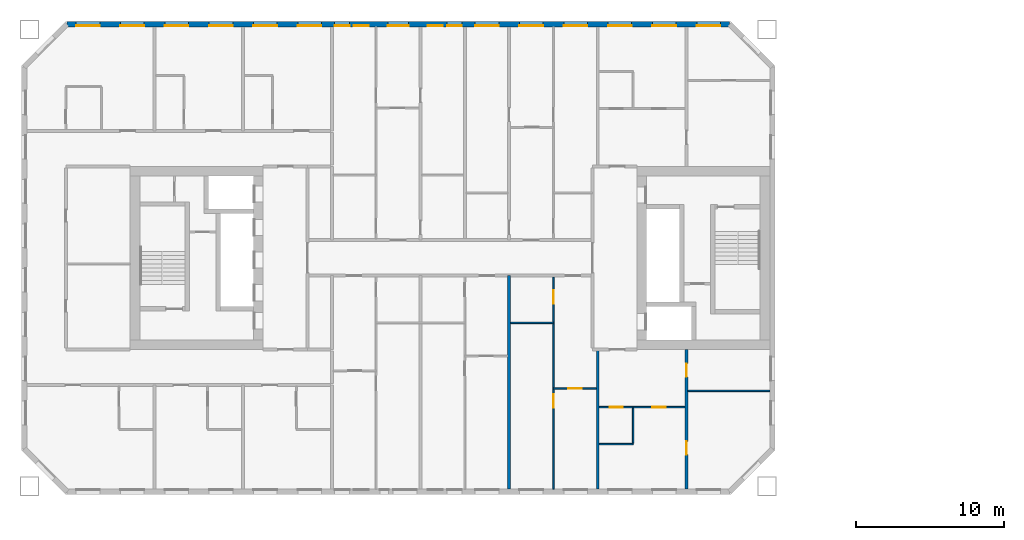
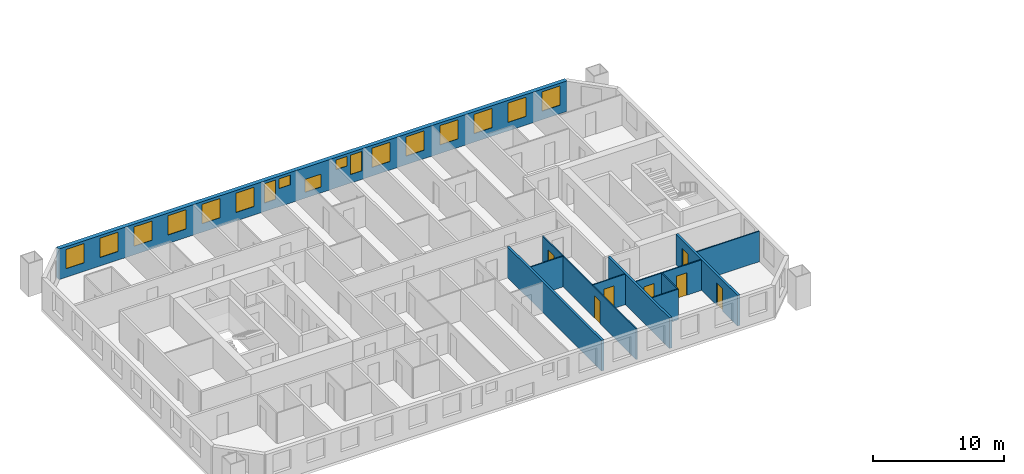
# One storey, part 6 of 16: 17 windows, 11 walls, 7 doors, 24 openings.
"""IFC4 building model written with IfcOpenShell, lengths in metres."""

import ifcopenshell
import ifcopenshell.guid

model = None  # the IFC model being written
_history = None  # IfcOwnerHistory: only IFC2X3 demands one
_inside = {}  # id of a spatial element -> (the spatial element, [elements in it])
_under = {}  # id of a project, library or spatial element -> (it, [spatial elements below it])
_declared = {}  # id of a project -> (the project, [libraries it declares])
_typed = {}  # id of a type object -> (the type object, [elements of that type])
_made_of = {}  # id of a material, layer set ... -> (it, [elements and type objects made of it])


def new_model(schema):
    """Start an empty IFC model of exactly this schema.

    Asked for "IFC4X3", IfcOpenShell would pick the latest addendum, in which some entities
    have other attributes; the version numbers below select the first issue.
    IFC2X3 requires an IfcOwnerHistory on every rooted entity: one is made here for all.
    """
    global model, _history
    if schema == "IFC4X3":
        model = ifcopenshell.file(schema_version=(4, 3, 0, 0))
    else:
        model = ifcopenshell.file(schema=schema)
    _inside.clear()
    _under.clear()
    _declared.clear()
    _typed.clear()
    _made_of.clear()
    _history = None
    if model.schema == "IFC2X3":
        org = make("IfcOrganization", Name="unknown")
        user = make(
            "IfcPersonAndOrganization",
            ThePerson=make("IfcPerson", FamilyName="unknown"),
            TheOrganization=org,
        )
        app = make(
            "IfcApplication",
            ApplicationDeveloper=org,
            Version="unknown",
            ApplicationFullName="unknown",
            ApplicationIdentifier="unknown",
        )
        _history = make(
            "IfcOwnerHistory",
            OwningUser=user,
            OwningApplication=app,
            ChangeAction="ADDED",
            CreationDate=0,
        )
    return model


def make(cls, **values):
    """One entity of the class cls with the attributes given. An attribute that is None is left unset."""
    return model.create_entity(
        cls, **{name: value for name, value in values.items() if value is not None}
    )


def rooted(cls, **values):
    """An entity with a GlobalId (a new one), such as an element, a storey or a relation."""
    return make(cls, GlobalId=ifcopenshell.guid.new(), OwnerHistory=_history, **values)


def si_unit(unit_type, name, prefix=None):
    """IfcSIUnit, for example si_unit("LENGTHUNIT", "METRE", prefix="MILLI")."""
    return make("IfcSIUnit", UnitType=unit_type, Prefix=prefix, Name=name)


def assignment(units):
    """IfcUnitAssignment: the units of a project."""
    return None if units is None else make("IfcUnitAssignment", Units=units)


def point(xyz):
    """IfcCartesianPoint."""
    return None if xyz is None else make("IfcCartesianPoint", Coordinates=xyz)


def direction(xyz):
    """IfcDirection."""
    return None if xyz is None else make("IfcDirection", DirectionRatios=xyz)


def frame(location, z_axis=None, x_axis=None):
    """IfcAxis2Placement3D, a coordinate frame: its origin and axes. An axis left out is left unset."""
    return make(
        "IfcAxis2Placement3D",
        Location=point(location),
        Axis=direction(z_axis),
        RefDirection=direction(x_axis),
    )


def frame_2d(location, x_axis=None):
    """IfcAxis2Placement2D, a coordinate frame in the plane: its origin and x axis."""
    return make(
        "IfcAxis2Placement2D", Location=point(location), RefDirection=direction(x_axis)
    )


def origin():
    """The frame at (0, 0, 0) with its axes left unset."""
    return frame((0.0, 0.0, 0.0))


def place(relative_to, where):
    """IfcLocalPlacement: puts the frame where relative to a parent placement (None: the world)."""
    return make(
        "IfcLocalPlacement", PlacementRelTo=relative_to, RelativePlacement=where
    )


def context(
    kind, dimensions, precision=None, world=None, true_north=None, identifier=None
):
    """IfcGeometricRepresentationContext, for example the 3D "Model" context."""
    return make(
        "IfcGeometricRepresentationContext",
        ContextIdentifier=identifier,
        ContextType=kind,
        CoordinateSpaceDimension=dimensions,
        Precision=precision,
        WorldCoordinateSystem=world,
        TrueNorth=true_north,
    )


def subcontext(parent, identifier, kind, view, scale=None):
    """IfcGeometricRepresentationSubContext, for example "Body" below "Model"."""
    return make(
        "IfcGeometricRepresentationSubContext",
        ContextIdentifier=identifier,
        ContextType=kind,
        ParentContext=parent,
        TargetScale=scale,
        TargetView=view,
    )


def project(units=None, contexts=None):
    """IfcProject with its units and contexts."""
    return rooted(
        "IfcProject",
        Name="project",
        RepresentationContexts=contexts,
        UnitsInContext=assignment(units),
    )


def spatial(cls, under=None, at=None, **own):
    """A site, building, storey or space (cls), placed at a placement, below another one or the project."""
    s = rooted(cls, ObjectPlacement=at, **own)
    if under is not None:
        _under.setdefault(under.id(), (under, []))[1].append(s)
    return s


def profile(cls, at=None, kind="AREA", **sizes):
    """A parametric profile (cls). Its sizes go by their IFC names, for example OverallWidth=200.0."""
    return make(cls, ProfileType=kind, Position=at, **sizes)


def rectangle(**sizes):
    """IfcRectangleProfileDef."""
    return profile("IfcRectangleProfileDef", **sizes)


def extrude(swept, where, along, depth):
    """IfcExtrudedAreaSolid: the profile swept, set in the frame where, extruded along a direction by depth."""
    return make(
        "IfcExtrudedAreaSolid",
        SweptArea=swept,
        Position=where,
        ExtrudedDirection=direction(along),
        Depth=depth,
    )


def shape(context_of_items, identifier, shape_type, items):
    """IfcShapeRepresentation: the items that make up one representation, for example the "Body"."""
    return make(
        "IfcShapeRepresentation",
        ContextOfItems=context_of_items,
        RepresentationIdentifier=identifier,
        RepresentationType=shape_type,
        Items=items,
    )


def material(Name=None, Category=None):
    """IfcMaterial."""
    return make("IfcMaterial", Name=Name, Category=Category)


def layer(
    of_material, thickness, ventilated=None, Name=None, Category=None, Priority=None
):
    """IfcMaterialLayer: one layer of a wall or slab, of a material (None: an air gap)."""
    return make(
        "IfcMaterialLayer",
        Material=of_material,
        LayerThickness=thickness,
        IsVentilated=ventilated,
        Name=Name,
        Category=Category,
        Priority=Priority,
    )


def layer_set(layers, Name=None):
    """IfcMaterialLayerSet."""
    return make("IfcMaterialLayerSet", MaterialLayers=layers, LayerSetName=Name)


def made_of(thing, what):
    """Note that an element or type object is made of a material, layer set ...; save() writes the relation."""
    if what is not None:
        _made_of.setdefault(what.id(), (what, []))[1].append(thing)
    return thing


def type_object(cls, material=None, **own):
    """A type object (cls), such as IfcWallType, which elements share."""
    return made_of(rooted(cls, **own), material)


def element(
    cls,
    number,
    at=None,
    inside=None,
    cuts=None,
    type_object=None,
    material=None,
    context=None,
    identifier="Body",
    shape_type=None,
    held_by="IfcProductDefinitionShape",
    body=None,
    shapes=None,
    **own,
):
    """One element of the class cls, such as IfcWall. Its Tag is "e" and its number.

    at: its placement. inside: the storey or other place that contains it. cuts: it is an
    opening in that element (IfcRelVoidsElement). A single representation is given by context,
    identifier, shape_type and body (its items); several are given by shapes. held_by: the class
    of the entity that holds the representations. save() writes the other relations.
    """
    e = rooted(cls, Tag="e%d" % number, ObjectPlacement=at, **own)
    if body is not None:
        shapes = [shape(context, identifier, shape_type, body)]
    if shapes is not None:
        e.Representation = make(held_by, Representations=shapes)
    if inside is not None:
        _inside.setdefault(inside.id(), (inside, []))[1].append(e)
    if cuts is not None:
        rooted(
            "IfcRelVoidsElement", RelatingBuildingElement=cuts, RelatedOpeningElement=e
        )
    if type_object is not None:
        _typed.setdefault(type_object.id(), (type_object, []))[1].append(e)
    return made_of(e, material)


def fill(opening, filler):
    """IfcRelFillsElement: the door or window that sits in an opening."""
    return rooted(
        "IfcRelFillsElement",
        RelatingOpeningElement=opening,
        RelatedBuildingElement=filler,
    )


def aggregate(whole, parts):
    """IfcRelAggregates: a whole, such as a stair, and the parts it consists of."""
    return rooted("IfcRelAggregates", RelatingObject=whole, RelatedObjects=parts)


def save(model, path):
    """Write the relations noted so far, then the file.

    IfcRelAggregates (storeys below a building ...), IfcRelContainedInSpatialStructure (elements
    in a storey), IfcRelDefinesByType, IfcRelAssociatesMaterial and IfcRelDeclares: one each for
    every whole, place, type object, material and project.
    """
    for whole, parts in _under.values():
        aggregate(whole, parts)
    for where, things in _inside.values():
        rooted(
            "IfcRelContainedInSpatialStructure",
            RelatedElements=things,
            RelatingStructure=where,
        )
    for kind, things in _typed.values():
        rooted("IfcRelDefinesByType", RelatedObjects=things, RelatingType=kind)
    for what, things in _made_of.values():
        rooted("IfcRelAssociatesMaterial", RelatedObjects=things, RelatingMaterial=what)
    for by, libraries in _declared.values():
        rooted("IfcRelDeclares", RelatingContext=by, RelatedDefinitions=libraries)
    model.write(path)


model = new_model("IFC4")

# Units and contexts
model_context = context("Model", 3, precision=1e-05, world=origin(), true_north=direction((0.0, 1.0)))
body_context = subcontext(model_context, "Body", "Model", "MODEL_VIEW")
ifc_project = project(units=[si_unit("LENGTHUNIT", "METRE"), si_unit("AREAUNIT", "SQUARE_METRE"), si_unit("VOLUMEUNIT", "CUBIC_METRE"), si_unit("PLANEANGLEUNIT", "RADIAN"), si_unit("MASSUNIT", "GRAM", prefix="KILO")], contexts=[model_context])

# Site, building, storey
site_placement = place(None, origin())
site = spatial("IfcSite", under=ifc_project, at=site_placement, CompositionType="ELEMENT")
building_placement = place(site_placement, origin())
building = spatial("IfcBuilding", under=site, at=building_placement, Name="Tuart Gate Housing", CompositionType="ELEMENT")
storey_placement = place(building_placement, frame((0.0, 0.0, 111.89990234375)))
storey = spatial("IfcBuildingStorey", under=building, at=storey_placement, Name="L31", CompositionType="ELEMENT", Elevation=111.89990234375)

# Wall, openings, windows
ifc_material_1 = material(Name="Brick", Category="masonry")
ifc_layer_1 = layer(ifc_material_1, 0.360107421875)
ifc_layer_set_1 = layer_set([ifc_layer_1], Name="Brick pier and spandrel wall 360")
wall_type_1 = type_object("IfcWallType", Name="Brick pier and spandrel wall 360", PredefinedType="STANDARD", material=ifc_layer_set_1)
wall_1_placement = place(storey_placement, frame((72.92529296875, 85.820068359375, 0.0), z_axis=(0.0, 0.0, 1.0), x_axis=(-1.0, 0.0, 0.0)))
wall_1 = element("IfcWall", 1, at=wall_1_placement, inside=storey, type_object=wall_type_1, Name="External wall A-N L31", PredefinedType="STANDARD", context=body_context, shape_type="SweptSolid", body=[
    extrude(rectangle(XDim=44.850830078125, YDim=0.360107421875, at=frame_2d((22.42529296875, 0.0))), origin(), (0.0, 0.0, 1.0), 2.85009765625),
])
opening_1_placement = place(wall_1_placement, frame((0.62548828125, 0.0, 0.800048828125)))
opening_1 = element("IfcOpeningElement", 2, at=opening_1_placement, cuts=wall_1, Name="Opening W1", PredefinedType="OPENING", context=body_context, shape_type="SweptSolid", body=[
    extrude(rectangle(XDim=1.60009765625, YDim=1.800048828125, at=frame_2d((0.800048828125, 0.89990234375))), frame((0.0, 0.18994140625, 0.0), z_axis=(0.0, -1.0, 0.0), x_axis=(1.0, 0.0, 0.0)), (0.0, 0.0, 1.0), 0.380126953125),
])
opening_2_placement = place(wall_1_placement, frame((3.62548828125, 0.0, 0.800048828125)))
opening_2 = element("IfcOpeningElement", 3, at=opening_2_placement, cuts=wall_1, Name="Opening W1", PredefinedType="OPENING", context=body_context, shape_type="SweptSolid", body=[
    extrude(rectangle(XDim=1.60009765625, YDim=1.800048828125, at=frame_2d((0.800048828125, 0.89990234375))), frame((0.0, 0.18994140625, 0.0), z_axis=(0.0, -1.0, 0.0), x_axis=(1.0, 0.0, 0.0)), (0.0, 0.0, 1.0), 0.380126953125),
])
opening_3_placement = place(wall_1_placement, frame((6.62548828125, 0.0, 0.800048828125)))
opening_3 = element("IfcOpeningElement", 4, at=opening_3_placement, cuts=wall_1, Name="Opening W1", PredefinedType="OPENING", context=body_context, shape_type="SweptSolid", body=[
    extrude(rectangle(XDim=1.60009765625, YDim=1.800048828125, at=frame_2d((0.800048828125, 0.89990234375))), frame((0.0, 0.18994140625, 0.0), z_axis=(0.0, -1.0, 0.0), x_axis=(1.0, 0.0, 0.0)), (0.0, 0.0, 1.0), 0.380126953125),
])
opening_4_placement = place(wall_1_placement, frame((9.62548828125, 0.0, 0.800048828125)))
opening_4 = element("IfcOpeningElement", 5, at=opening_4_placement, cuts=wall_1, Name="Opening W1", PredefinedType="OPENING", context=body_context, shape_type="SweptSolid", body=[
    extrude(rectangle(XDim=1.60009765625, YDim=1.800048828125, at=frame_2d((0.800048828125, 0.89990234375))), frame((0.0, 0.18994140625, 0.0), z_axis=(0.0, -1.0, 0.0), x_axis=(1.0, 0.0, 0.0)), (0.0, 0.0, 1.0), 0.380126953125),
])
opening_5_placement = place(wall_1_placement, frame((12.62548828125, 0.0, 0.800048828125)))
opening_5 = element("IfcOpeningElement", 6, at=opening_5_placement, cuts=wall_1, Name="Opening W1", PredefinedType="OPENING", context=body_context, shape_type="SweptSolid", body=[
    extrude(rectangle(XDim=1.60009765625, YDim=1.800048828125, at=frame_2d((0.800048828125, 0.89990234375))), frame((0.0, 0.18994140625, 0.0), z_axis=(0.0, -1.0, 0.0), x_axis=(1.0, 0.0, 0.0)), (0.0, 0.0, 1.0), 0.380126953125),
])
opening_6_placement = place(wall_1_placement, frame((15.62548828125, 0.0, 0.800048828125)))
opening_6 = element("IfcOpeningElement", 7, at=opening_6_placement, cuts=wall_1, Name="Opening W1", PredefinedType="OPENING", context=body_context, shape_type="SweptSolid", body=[
    extrude(rectangle(XDim=1.60009765625, YDim=1.800048828125, at=frame_2d((0.800048828125, 0.89990234375))), frame((0.0, 0.18994140625, 0.0), z_axis=(0.0, -1.0, 0.0), x_axis=(1.0, 0.0, 0.0)), (0.0, 0.0, 1.0), 0.380126953125),
])
opening_7_placement = place(wall_1_placement, frame((18.12548828125, 0.0, 0.800048828125)))
opening_7 = element("IfcOpeningElement", 8, at=opening_7_placement, cuts=wall_1, Name="Opening W1C", PredefinedType="OPENING", context=body_context, shape_type="SweptSolid", body=[
    extrude(rectangle(XDim=1.0, YDim=1.800048828125, at=frame_2d((0.5, 0.89990234375))), frame((0.0, 0.18994140625, 0.0), z_axis=(0.0, -1.0, 0.0), x_axis=(1.0, 0.0, 0.0)), (0.0, 0.0, 1.0), 0.380126953125),
])
opening_8_placement = place(wall_1_placement, frame((21.725341796875, 0.0, 0.550048828125)))
opening_8 = element("IfcOpeningElement", 9, at=opening_8_placement, cuts=wall_1, Name="Opening W1M", PredefinedType="OPENING", context=body_context, shape_type="SweptSolid", body=[
    extrude(rectangle(XDim=1.39990234375, YDim=1.199951171875, at=frame_2d((0.699951171875, 0.60009765625))), frame((0.0, 0.18994140625, 0.0), z_axis=(0.0, -1.0, 0.0), x_axis=(1.0, 0.0, 0.0)), (0.0, 0.0, 1.0), 0.380126953125),
])
opening_9_placement = place(wall_1_placement, frame((24.42529296875, 0.0, 1.699951171875)))
opening_9 = element("IfcOpeningElement", 10, at=opening_9_placement, cuts=wall_1, Name="Opening W1U", PredefinedType="OPENING", context=body_context, shape_type="SweptSolid", body=[
    extrude(rectangle(XDim=1.0, YDim=0.89990234375, at=frame_2d((0.5, 0.449951171875))), frame((0.0, 0.18994140625, 0.0), z_axis=(0.0, -1.0, 0.0), x_axis=(1.0, 0.0, 0.0)), (0.0, 0.0, 1.0), 0.380126953125),
])
opening_10_placement = place(wall_1_placement, frame((27.62548828125, 0.0, 0.800048828125)))
opening_10 = element("IfcOpeningElement", 11, at=opening_10_placement, cuts=wall_1, Name="Opening W1", PredefinedType="OPENING", context=body_context, shape_type="SweptSolid", body=[
    extrude(rectangle(XDim=1.60009765625, YDim=1.800048828125, at=frame_2d((0.800048828125, 0.89990234375))), frame((0.0, 0.18994140625, 0.0), z_axis=(0.0, -1.0, 0.0), x_axis=(1.0, 0.0, 0.0)), (0.0, 0.0, 1.0), 0.380126953125),
])
opening_11_placement = place(wall_1_placement, frame((30.62548828125, 0.0, 0.800048828125)))
opening_11 = element("IfcOpeningElement", 12, at=opening_11_placement, cuts=wall_1, Name="Opening W1", PredefinedType="OPENING", context=body_context, shape_type="SweptSolid", body=[
    extrude(rectangle(XDim=1.60009765625, YDim=1.800048828125, at=frame_2d((0.800048828125, 0.89990234375))), frame((0.0, 0.18994140625, 0.0), z_axis=(0.0, -1.0, 0.0), x_axis=(1.0, 0.0, 0.0)), (0.0, 0.0, 1.0), 0.380126953125),
])
opening_12_placement = place(wall_1_placement, frame((33.62548828125, 0.0, 0.800048828125)))
opening_12 = element("IfcOpeningElement", 13, at=opening_12_placement, cuts=wall_1, Name="Opening W1", PredefinedType="OPENING", context=body_context, shape_type="SweptSolid", body=[
    extrude(rectangle(XDim=1.60009765625, YDim=1.800048828125, at=frame_2d((0.800048828125, 0.89990234375))), frame((0.0, 0.18994140625, 0.0), z_axis=(0.0, -1.0, 0.0), x_axis=(1.0, 0.0, 0.0)), (0.0, 0.0, 1.0), 0.380126953125),
])
opening_13_placement = place(wall_1_placement, frame((36.62548828125, 0.0, 0.800048828125)))
opening_13 = element("IfcOpeningElement", 14, at=opening_13_placement, cuts=wall_1, Name="Opening W1", PredefinedType="OPENING", context=body_context, shape_type="SweptSolid", body=[
    extrude(rectangle(XDim=1.60009765625, YDim=1.800048828125, at=frame_2d((0.800048828125, 0.89990234375))), frame((0.0, 0.18994140625, 0.0), z_axis=(0.0, -1.0, 0.0), x_axis=(1.0, 0.0, 0.0)), (0.0, 0.0, 1.0), 0.380126953125),
])
opening_14_placement = place(wall_1_placement, frame((39.62548828125, 0.0, 0.800048828125)))
opening_14 = element("IfcOpeningElement", 15, at=opening_14_placement, cuts=wall_1, Name="Opening W1", PredefinedType="OPENING", context=body_context, shape_type="SweptSolid", body=[
    extrude(rectangle(XDim=1.60009765625, YDim=1.800048828125, at=frame_2d((0.800048828125, 0.89990234375))), frame((0.0, 0.18994140625, 0.0), z_axis=(0.0, -1.0, 0.0), x_axis=(1.0, 0.0, 0.0)), (0.0, 0.0, 1.0), 0.380126953125),
])
opening_15_placement = place(wall_1_placement, frame((42.62548828125, 0.0, 0.800048828125)))
opening_15 = element("IfcOpeningElement", 16, at=opening_15_placement, cuts=wall_1, Name="Opening W1", PredefinedType="OPENING", context=body_context, shape_type="SweptSolid", body=[
    extrude(rectangle(XDim=1.60009765625, YDim=1.800048828125, at=frame_2d((0.800048828125, 0.89990234375))), frame((0.0, 0.18994140625, 0.0), z_axis=(0.0, -1.0, 0.0), x_axis=(1.0, 0.0, 0.0)), (0.0, 0.0, 1.0), 0.380126953125),
])
opening_16_placement = place(wall_1_placement, frame((19.42529296875, 0.0, 1.699951171875)))
opening_16 = element("IfcOpeningElement", 17, at=opening_16_placement, cuts=wall_1, Name="Opening W1U", PredefinedType="OPENING", context=body_context, shape_type="SweptSolid", body=[
    extrude(rectangle(XDim=1.0, YDim=0.89990234375, at=frame_2d((0.5, 0.449951171875))), frame((0.0, 0.18994140625, 0.0), z_axis=(0.0, -1.0, 0.0), x_axis=(1.0, 0.0, 0.0)), (0.0, 0.0, 1.0), 0.380126953125),
])
opening_17_placement = place(wall_1_placement, frame((25.725341796875, 0.0, 0.800048828125)))
opening_17 = element("IfcOpeningElement", 18, at=opening_17_placement, cuts=wall_1, Name="Opening W1C", PredefinedType="OPENING", context=body_context, shape_type="SweptSolid", body=[
    extrude(rectangle(XDim=1.0, YDim=1.800048828125, at=frame_2d((0.5, 0.89990234375))), frame((0.0, 0.18994140625, 0.0), z_axis=(0.0, -1.0, 0.0), x_axis=(1.0, 0.0, 0.0)), (0.0, 0.0, 1.0), 0.380126953125),
])
ifc_material_2 = material(Name="Aluminium frame with clear glass", Category="aluminium")
window_type_1 = type_object("IfcWindowType", Name="Punched window 1000 x 1800", PartitioningType="SINGLE_PANEL", PredefinedType="WINDOW", material=ifc_material_2)
window_1_placement = place(opening_7_placement, origin())
window_1 = element("IfcWindow", 19, at=window_1_placement, inside=storey, type_object=window_type_1, Name="Window W1C", OverallHeight=1.800048828125, OverallWidth=1.0, PartitioningType="SINGLE_PANEL", PredefinedType="WINDOW", context=body_context, shape_type="SweptSolid", body=[
    extrude(rectangle(XDim=1.0, YDim=1.800048828125, at=frame_2d((0.5, 0.89990234375))), frame((0.0, 0.150146484375, 0.0), z_axis=(0.0, -1.0, 0.0), x_axis=(1.0, 0.0, 0.0)), (0.0, 0.0, 1.0), 0.06005859375),
])
fill(opening_7, window_1)
window_2_placement = place(opening_17_placement, origin())
window_2 = element("IfcWindow", 20, at=window_2_placement, inside=storey, type_object=window_type_1, Name="Window W1C", OverallHeight=1.800048828125, OverallWidth=1.0, PartitioningType="SINGLE_PANEL", PredefinedType="WINDOW", context=body_context, shape_type="SweptSolid", body=[
    extrude(rectangle(XDim=1.0, YDim=1.800048828125, at=frame_2d((0.5, 0.89990234375))), frame((0.0, 0.150146484375, 0.0), z_axis=(0.0, -1.0, 0.0), x_axis=(1.0, 0.0, 0.0)), (0.0, 0.0, 1.0), 0.06005859375),
])
fill(opening_17, window_2)
ifc_material_3 = material(Name="Aluminium frame with clear glass", Category="aluminium")
window_type_2 = type_object("IfcWindowType", Name="Punched window 1000 x 900", PartitioningType="SINGLE_PANEL", PredefinedType="WINDOW", material=ifc_material_3)
window_3_placement = place(opening_9_placement, origin())
window_3 = element("IfcWindow", 21, at=window_3_placement, inside=storey, type_object=window_type_2, Name="Window W1U", OverallHeight=0.89990234375, OverallWidth=1.0, PartitioningType="SINGLE_PANEL", PredefinedType="WINDOW", context=body_context, shape_type="SweptSolid", body=[
    extrude(rectangle(XDim=1.0, YDim=0.89990234375, at=frame_2d((0.5, 0.449951171875))), frame((0.0, 0.150146484375, 0.0), z_axis=(0.0, -1.0, 0.0), x_axis=(1.0, 0.0, 0.0)), (0.0, 0.0, 1.0), 0.06005859375),
])
fill(opening_9, window_3)
window_4_placement = place(opening_16_placement, origin())
window_4 = element("IfcWindow", 22, at=window_4_placement, inside=storey, type_object=window_type_2, Name="Window W1U", OverallHeight=0.89990234375, OverallWidth=1.0, PartitioningType="SINGLE_PANEL", PredefinedType="WINDOW", context=body_context, shape_type="SweptSolid", body=[
    extrude(rectangle(XDim=1.0, YDim=0.89990234375, at=frame_2d((0.5, 0.449951171875))), frame((0.0, 0.150146484375, 0.0), z_axis=(0.0, -1.0, 0.0), x_axis=(1.0, 0.0, 0.0)), (0.0, 0.0, 1.0), 0.06005859375),
])
fill(opening_16, window_4)
ifc_material_4 = material(Name="Aluminium frame with clear glass", Category="aluminium")
window_type_3 = type_object("IfcWindowType", Name="Punched window 1400 x 1200", PartitioningType="SINGLE_PANEL", PredefinedType="WINDOW", material=ifc_material_4)
window_5_placement = place(opening_8_placement, origin())
window_5 = element("IfcWindow", 23, at=window_5_placement, inside=storey, type_object=window_type_3, Name="Window W1M", OverallHeight=1.199951171875, OverallWidth=1.39990234375, PartitioningType="SINGLE_PANEL", PredefinedType="WINDOW", context=body_context, shape_type="SweptSolid", body=[
    extrude(rectangle(XDim=1.39990234375, YDim=1.199951171875, at=frame_2d((0.699951171875, 0.60009765625))), frame((0.0, 0.150146484375, 0.0), z_axis=(0.0, -1.0, 0.0), x_axis=(1.0, 0.0, 0.0)), (0.0, 0.0, 1.0), 0.06005859375),
])
fill(opening_8, window_5)
ifc_material_5 = material(Name="Aluminium frame with clear glass", Category="aluminium")
window_type_4 = type_object("IfcWindowType", Name="Punched window 1600 x 1800", PartitioningType="SINGLE_PANEL", PredefinedType="WINDOW", material=ifc_material_5)
window_6_placement = place(opening_1_placement, origin())
window_6 = element("IfcWindow", 24, at=window_6_placement, inside=storey, type_object=window_type_4, Name="Window W1", OverallHeight=1.800048828125, OverallWidth=1.60009765625, PartitioningType="SINGLE_PANEL", PredefinedType="WINDOW", context=body_context, shape_type="SweptSolid", body=[
    extrude(rectangle(XDim=1.60009765625, YDim=1.800048828125, at=frame_2d((0.800048828125, 0.89990234375))), frame((0.0, 0.150146484375, 0.0), z_axis=(0.0, -1.0, 0.0), x_axis=(1.0, 0.0, 0.0)), (0.0, 0.0, 1.0), 0.06005859375),
])
fill(opening_1, window_6)
window_7_placement = place(opening_2_placement, origin())
window_7 = element("IfcWindow", 25, at=window_7_placement, inside=storey, type_object=window_type_4, Name="Window W1", OverallHeight=1.800048828125, OverallWidth=1.60009765625, PartitioningType="SINGLE_PANEL", PredefinedType="WINDOW", context=body_context, shape_type="SweptSolid", body=[
    extrude(rectangle(XDim=1.60009765625, YDim=1.800048828125, at=frame_2d((0.800048828125, 0.89990234375))), frame((0.0, 0.150146484375, 0.0), z_axis=(0.0, -1.0, 0.0), x_axis=(1.0, 0.0, 0.0)), (0.0, 0.0, 1.0), 0.06005859375),
])
fill(opening_2, window_7)
window_8_placement = place(opening_3_placement, origin())
window_8 = element("IfcWindow", 26, at=window_8_placement, inside=storey, type_object=window_type_4, Name="Window W1", OverallHeight=1.800048828125, OverallWidth=1.60009765625, PartitioningType="SINGLE_PANEL", PredefinedType="WINDOW", context=body_context, shape_type="SweptSolid", body=[
    extrude(rectangle(XDim=1.60009765625, YDim=1.800048828125, at=frame_2d((0.800048828125, 0.89990234375))), frame((0.0, 0.150146484375, 0.0), z_axis=(0.0, -1.0, 0.0), x_axis=(1.0, 0.0, 0.0)), (0.0, 0.0, 1.0), 0.06005859375),
])
fill(opening_3, window_8)
window_9_placement = place(opening_4_placement, origin())
window_9 = element("IfcWindow", 27, at=window_9_placement, inside=storey, type_object=window_type_4, Name="Window W1", OverallHeight=1.800048828125, OverallWidth=1.60009765625, PartitioningType="SINGLE_PANEL", PredefinedType="WINDOW", context=body_context, shape_type="SweptSolid", body=[
    extrude(rectangle(XDim=1.60009765625, YDim=1.800048828125, at=frame_2d((0.800048828125, 0.89990234375))), frame((0.0, 0.150146484375, 0.0), z_axis=(0.0, -1.0, 0.0), x_axis=(1.0, 0.0, 0.0)), (0.0, 0.0, 1.0), 0.06005859375),
])
fill(opening_4, window_9)
window_10_placement = place(opening_5_placement, origin())
window_10 = element("IfcWindow", 28, at=window_10_placement, inside=storey, type_object=window_type_4, Name="Window W1", OverallHeight=1.800048828125, OverallWidth=1.60009765625, PartitioningType="SINGLE_PANEL", PredefinedType="WINDOW", context=body_context, shape_type="SweptSolid", body=[
    extrude(rectangle(XDim=1.60009765625, YDim=1.800048828125, at=frame_2d((0.800048828125, 0.89990234375))), frame((0.0, 0.150146484375, 0.0), z_axis=(0.0, -1.0, 0.0), x_axis=(1.0, 0.0, 0.0)), (0.0, 0.0, 1.0), 0.06005859375),
])
fill(opening_5, window_10)
window_11_placement = place(opening_6_placement, origin())
window_11 = element("IfcWindow", 29, at=window_11_placement, inside=storey, type_object=window_type_4, Name="Window W1", OverallHeight=1.800048828125, OverallWidth=1.60009765625, PartitioningType="SINGLE_PANEL", PredefinedType="WINDOW", context=body_context, shape_type="SweptSolid", body=[
    extrude(rectangle(XDim=1.60009765625, YDim=1.800048828125, at=frame_2d((0.800048828125, 0.89990234375))), frame((0.0, 0.150146484375, 0.0), z_axis=(0.0, -1.0, 0.0), x_axis=(1.0, 0.0, 0.0)), (0.0, 0.0, 1.0), 0.06005859375),
])
fill(opening_6, window_11)
window_12_placement = place(opening_10_placement, origin())
window_12 = element("IfcWindow", 30, at=window_12_placement, inside=storey, type_object=window_type_4, Name="Window W1", OverallHeight=1.800048828125, OverallWidth=1.60009765625, PartitioningType="SINGLE_PANEL", PredefinedType="WINDOW", context=body_context, shape_type="SweptSolid", body=[
    extrude(rectangle(XDim=1.60009765625, YDim=1.800048828125, at=frame_2d((0.800048828125, 0.89990234375))), frame((0.0, 0.150146484375, 0.0), z_axis=(0.0, -1.0, 0.0), x_axis=(1.0, 0.0, 0.0)), (0.0, 0.0, 1.0), 0.06005859375),
])
fill(opening_10, window_12)
window_13_placement = place(opening_11_placement, origin())
window_13 = element("IfcWindow", 31, at=window_13_placement, inside=storey, type_object=window_type_4, Name="Window W1", OverallHeight=1.800048828125, OverallWidth=1.60009765625, PartitioningType="SINGLE_PANEL", PredefinedType="WINDOW", context=body_context, shape_type="SweptSolid", body=[
    extrude(rectangle(XDim=1.60009765625, YDim=1.800048828125, at=frame_2d((0.800048828125, 0.89990234375))), frame((0.0, 0.150146484375, 0.0), z_axis=(0.0, -1.0, 0.0), x_axis=(1.0, 0.0, 0.0)), (0.0, 0.0, 1.0), 0.06005859375),
])
fill(opening_11, window_13)
window_14_placement = place(opening_12_placement, origin())
window_14 = element("IfcWindow", 32, at=window_14_placement, inside=storey, type_object=window_type_4, Name="Window W1", OverallHeight=1.800048828125, OverallWidth=1.60009765625, PartitioningType="SINGLE_PANEL", PredefinedType="WINDOW", context=body_context, shape_type="SweptSolid", body=[
    extrude(rectangle(XDim=1.60009765625, YDim=1.800048828125, at=frame_2d((0.800048828125, 0.89990234375))), frame((0.0, 0.150146484375, 0.0), z_axis=(0.0, -1.0, 0.0), x_axis=(1.0, 0.0, 0.0)), (0.0, 0.0, 1.0), 0.06005859375),
])
fill(opening_12, window_14)
window_15_placement = place(opening_13_placement, origin())
window_15 = element("IfcWindow", 33, at=window_15_placement, inside=storey, type_object=window_type_4, Name="Window W1", OverallHeight=1.800048828125, OverallWidth=1.60009765625, PartitioningType="SINGLE_PANEL", PredefinedType="WINDOW", context=body_context, shape_type="SweptSolid", body=[
    extrude(rectangle(XDim=1.60009765625, YDim=1.800048828125, at=frame_2d((0.800048828125, 0.89990234375))), frame((0.0, 0.150146484375, 0.0), z_axis=(0.0, -1.0, 0.0), x_axis=(1.0, 0.0, 0.0)), (0.0, 0.0, 1.0), 0.06005859375),
])
fill(opening_13, window_15)
window_16_placement = place(opening_14_placement, origin())
window_16 = element("IfcWindow", 34, at=window_16_placement, inside=storey, type_object=window_type_4, Name="Window W1", OverallHeight=1.800048828125, OverallWidth=1.60009765625, PartitioningType="SINGLE_PANEL", PredefinedType="WINDOW", context=body_context, shape_type="SweptSolid", body=[
    extrude(rectangle(XDim=1.60009765625, YDim=1.800048828125, at=frame_2d((0.800048828125, 0.89990234375))), frame((0.0, 0.150146484375, 0.0), z_axis=(0.0, -1.0, 0.0), x_axis=(1.0, 0.0, 0.0)), (0.0, 0.0, 1.0), 0.06005859375),
])
fill(opening_14, window_16)
window_17_placement = place(opening_15_placement, origin())
window_17 = element("IfcWindow", 35, at=window_17_placement, inside=storey, type_object=window_type_4, Name="Window W1", OverallHeight=1.800048828125, OverallWidth=1.60009765625, PartitioningType="SINGLE_PANEL", PredefinedType="WINDOW", context=body_context, shape_type="SweptSolid", body=[
    extrude(rectangle(XDim=1.60009765625, YDim=1.800048828125, at=frame_2d((0.800048828125, 0.89990234375))), frame((0.0, 0.150146484375, 0.0), z_axis=(0.0, -1.0, 0.0), x_axis=(1.0, 0.0, 0.0)), (0.0, 0.0, 1.0), 0.06005859375),
])
fill(opening_15, window_17)

# Wall
ifc_material_6 = material(Name="Gypsum board on steel studs", Category="steel")
ifc_layer_2 = layer(ifc_material_6, 0.10009765625)
ifc_layer_set_2 = layer_set([ifc_layer_2], Name="Partition 100")
wall_type_2 = type_object("IfcWallType", Name="Partition 100", PredefinedType="PARTITIONING", material=ifc_layer_set_2)
wall_2_placement = place(storey_placement, frame((64.10009765625, 57.39990234375, 0.0), z_axis=(0.0, 0.0, 1.0), x_axis=(1.0, 0.0, 0.0)))
element("IfcWall", 36, at=wall_2_placement, inside=storey, type_object=wall_type_2, Name="Partition 100", PredefinedType="PARTITIONING", context=body_context, shape_type="SweptSolid", body=[
    extrude(rectangle(XDim=2.2998046875, YDim=0.10009765625, at=frame_2d((1.14990234375, 0.0))), origin(), (0.0, 0.0, 1.0), 2.85009765625),
])

# Wall, openings, doors
wall_3_placement = place(storey_placement, frame((64.10009765625, 59.89990234375, 0.0), z_axis=(0.0, 0.0, 1.0), x_axis=(1.0, 0.0, 0.0)))
wall_3 = element("IfcWall", 37, at=wall_3_placement, inside=storey, type_object=wall_type_2, Name="Partition 100", PredefinedType="PARTITIONING", context=body_context, shape_type="SweptSolid", body=[
    extrude(rectangle(XDim=5.7998046875, YDim=0.10009765625, at=frame_2d((2.89990234375, 0.0))), origin(), (0.0, 0.0, 1.0), 2.85009765625),
])
opening_18_placement = place(wall_3_placement, frame((3.60009765625, 0.0, 0.0)))
opening_18 = element("IfcOpeningElement", 38, at=opening_18_placement, cuts=wall_3, Name="Opening D1231", PredefinedType="OPENING", context=body_context, shape_type="SweptSolid", body=[
    extrude(rectangle(XDim=0.89990234375, YDim=2.10009765625, at=frame_2d((0.449951171875, 1.050048828125))), frame((0.0, 0.06005859375, 0.0), z_axis=(0.0, -1.0, 0.0), x_axis=(1.0, 0.0, 0.0)), (0.0, 0.0, 1.0), 0.1201171875),
])
opening_19_placement = place(wall_3_placement, frame((0.699951171875, 0.0, 0.0)))
opening_19 = element("IfcOpeningElement", 39, at=opening_19_placement, cuts=wall_3, Name="Opening D1230", PredefinedType="OPENING", context=body_context, shape_type="SweptSolid", body=[
    extrude(rectangle(XDim=0.89990234375, YDim=2.10009765625, at=frame_2d((0.449951171875, 1.050048828125))), frame((0.0, 0.06005859375, 0.0), z_axis=(0.0, -1.0, 0.0), x_axis=(1.0, 0.0, 0.0)), (0.0, 0.0, 1.0), 0.1201171875),
])
ifc_material_7 = material(Name="Timber door leaf in steel frame", Category="steel")
door_type_1 = type_object("IfcDoorType", Name="Bathroom door 900", OperationType="SINGLE_SWING_LEFT", PredefinedType="DOOR", material=ifc_material_7)
door_1_placement = place(opening_19_placement, frame((0.89990234375, 0.0, 0.0), z_axis=(0.0, 0.0, 1.0), x_axis=(-1.0, 0.0, 0.0)))
door_1 = element("IfcDoor", 40, at=door_1_placement, inside=storey, type_object=door_type_1, Name="Bathroom door", OperationType="SINGLE_SWING_LEFT", OverallHeight=2.10009765625, OverallWidth=0.89990234375, PredefinedType="DOOR", context=body_context, shape_type="SweptSolid", body=[
    extrude(rectangle(XDim=0.89990234375, YDim=2.10009765625, at=frame_2d((0.449951171875, 1.050048828125))), frame((0.0, 0.025146484375, 0.0), z_axis=(0.0, -1.0, 0.0), x_axis=(1.0, 0.0, 0.0)), (0.0, 0.0, 1.0), 0.050048828125),
])
fill(opening_19, door_1)
ifc_material_8 = material(Name="Timber door leaf in steel frame", Category="steel")
door_type_2 = type_object("IfcDoorType", Name="Internal door 900 RH", OperationType="SINGLE_SWING_RIGHT", PredefinedType="DOOR", material=ifc_material_8)
door_2_placement = place(opening_18_placement, origin())
door_2 = element("IfcDoor", 41, at=door_2_placement, inside=storey, type_object=door_type_2, Name="Internal door", OperationType="SINGLE_SWING_RIGHT", OverallHeight=2.10009765625, OverallWidth=0.89990234375, PredefinedType="DOOR", context=body_context, shape_type="SweptSolid", body=[
    extrude(rectangle(XDim=0.89990234375, YDim=2.10009765625, at=frame_2d((0.449951171875, 1.050048828125))), frame((0.0, 0.02490234375, 0.0), z_axis=(0.0, -1.0, 0.0), x_axis=(1.0, 0.0, 0.0)), (0.0, 0.0, 1.0), 0.050048828125),
])
fill(opening_18, door_2)

# Wall
wall_4_placement = place(storey_placement, frame((70.10009765625, 61.0, 0.0), z_axis=(0.0, 0.0, 1.0), x_axis=(1.0, 0.0, 0.0)))
element("IfcWall", 42, at=wall_4_placement, inside=storey, type_object=wall_type_2, Name="Partition 100", PredefinedType="PARTITIONING", context=body_context, shape_type="SweptSolid", body=[
    extrude(rectangle(XDim=5.539794921875, YDim=0.10009765625, at=frame_2d((2.77001953125, 0.0))), origin(), (0.0, 0.0, 1.0), 2.85009765625),
])

# Wall, opening, door
wall_5_placement = place(storey_placement, frame((61.0, 61.159912109375, 0.0), z_axis=(0.0, 0.0, 1.0), x_axis=(1.0, 0.0, 0.0)))
wall_5 = element("IfcWall", 43, at=wall_5_placement, inside=storey, type_object=wall_type_2, Name="Partition 100", PredefinedType="PARTITIONING", context=body_context, shape_type="SweptSolid", body=[
    extrude(rectangle(XDim=2.89990234375, YDim=0.10009765625, at=frame_2d((1.449951171875, 0.0))), origin(), (0.0, 0.0, 1.0), 2.85009765625),
])
opening_20_placement = place(wall_5_placement, frame((1.0, 0.0, 0.0)))
opening_20 = element("IfcOpeningElement", 44, at=opening_20_placement, cuts=wall_5, Name="Opening D1229", PredefinedType="OPENING", context=body_context, shape_type="SweptSolid", body=[
    extrude(rectangle(XDim=0.89990234375, YDim=2.10009765625, at=frame_2d((0.449951171875, 1.050048828125))), frame((0.0, 0.06005859375, 0.0), z_axis=(0.0, -1.0, 0.0), x_axis=(1.0, 0.0, 0.0)), (0.0, 0.0, 1.0), 0.1201171875),
])
ifc_material_9 = material(Name="Timber door leaf in steel frame", Category="steel")
door_type_3 = type_object("IfcDoorType", Name="Internal door 900", OperationType="SINGLE_SWING_LEFT", PredefinedType="DOOR", material=ifc_material_9)
door_3_placement = place(opening_20_placement, origin())
door_3 = element("IfcDoor", 45, at=door_3_placement, inside=storey, type_object=door_type_3, Name="Internal door", OperationType="SINGLE_SWING_LEFT", OverallHeight=2.10009765625, OverallWidth=0.89990234375, PredefinedType="DOOR", context=body_context, shape_type="SweptSolid", body=[
    extrude(rectangle(XDim=0.89990234375, YDim=2.10009765625, at=frame_2d((0.449951171875, 1.050048828125))), frame((0.0, 0.02490234375, 0.0), z_axis=(0.0, -1.0, 0.0), x_axis=(1.0, 0.0, 0.0)), (0.0, 0.0, 1.0), 0.050048828125),
])
fill(opening_20, door_3)

# Wall
wall_6_placement = place(storey_placement, frame((58.10009765625, 65.60009765625, 0.0), z_axis=(0.0, 0.0, 1.0), x_axis=(1.0, 0.0, 0.0)))
element("IfcWall", 46, at=wall_6_placement, inside=storey, type_object=wall_type_2, Name="Partition 100", PredefinedType="PARTITIONING", context=body_context, shape_type="SweptSolid", body=[
    extrude(rectangle(XDim=2.89990234375, YDim=0.10009765625, at=frame_2d((1.449951171875, 0.0))), origin(), (0.0, 0.0, 1.0), 2.85009765625),
])

# Wall, openings, doors
wall_7_placement = place(storey_placement, frame((61.0, 54.360107421875, 0.0), z_axis=(0.0, 0.0, 1.0), x_axis=(0.0, 1.0, 0.0)))
wall_7 = element("IfcWall", 47, at=wall_7_placement, inside=storey, type_object=wall_type_2, Name="Partition 100", PredefinedType="PARTITIONING", context=body_context, shape_type="SweptSolid", body=[
    extrude(rectangle(XDim=14.33984375, YDim=0.10009765625, at=frame_2d((7.169921875, 0.0))), origin(), (0.0, 0.0, 1.0), 2.85009765625),
])
opening_21_placement = place(wall_7_placement, frame((5.5, 0.0, 0.0)))
opening_21 = element("IfcOpeningElement", 48, at=opening_21_placement, cuts=wall_7, Name="Opening D1225", PredefinedType="OPENING", context=body_context, shape_type="SweptSolid", body=[
    extrude(rectangle(XDim=0.89990234375, YDim=2.10009765625, at=frame_2d((0.449951171875, 1.050048828125))), frame((0.0, 0.06005859375, 0.0), z_axis=(0.0, -1.0, 0.0), x_axis=(1.0, 0.0, 0.0)), (0.0, 0.0, 1.0), 0.1201171875),
])
opening_22_placement = place(wall_7_placement, frame((12.5400390625, 0.0, 0.0)))
opening_22 = element("IfcOpeningElement", 49, at=opening_22_placement, cuts=wall_7, Name="Opening D1224", PredefinedType="OPENING", context=body_context, shape_type="SweptSolid", body=[
    extrude(rectangle(XDim=0.89990234375, YDim=2.10009765625, at=frame_2d((0.449951171875, 1.050048828125))), frame((0.0, 0.06005859375, 0.0), z_axis=(0.0, -1.0, 0.0), x_axis=(1.0, 0.0, 0.0)), (0.0, 0.0, 1.0), 0.1201171875),
])
ifc_material_10 = material(Name="Timber door leaf in steel frame", Category="steel")
door_type_4 = type_object("IfcDoorType", Name="Bathroom door 900 RH", OperationType="SINGLE_SWING_RIGHT", PredefinedType="DOOR", material=ifc_material_10)
door_4_placement = place(opening_22_placement, origin())
door_4 = element("IfcDoor", 50, at=door_4_placement, inside=storey, type_object=door_type_4, Name="Bathroom door", OperationType="SINGLE_SWING_RIGHT", OverallHeight=2.10009765625, OverallWidth=0.89990234375, PredefinedType="DOOR", context=body_context, shape_type="SweptSolid", body=[
    extrude(rectangle(XDim=0.89990234375, YDim=2.10009765625, at=frame_2d((0.449951171875, 1.050048828125))), frame((0.0, 0.02490234375, 0.0), z_axis=(0.0, -1.0, 0.0), x_axis=(1.0, 0.0, 0.0)), (0.0, 0.0, 1.0), 0.050048828125),
])
fill(opening_22, door_4)
door_5_placement = place(opening_21_placement, origin())
door_5 = element("IfcDoor", 51, at=door_5_placement, inside=storey, type_object=door_type_2, Name="Internal door", OperationType="SINGLE_SWING_RIGHT", OverallHeight=2.10009765625, OverallWidth=0.89990234375, PredefinedType="DOOR", context=body_context, shape_type="SweptSolid", body=[
    extrude(rectangle(XDim=0.89990234375, YDim=2.10009765625, at=frame_2d((0.449951171875, 1.050048828125))), frame((0.0, 0.02490234375, 0.0), z_axis=(0.0, -1.0, 0.0), x_axis=(1.0, 0.0, 0.0)), (0.0, 0.0, 1.0), 0.050048828125),
])
fill(opening_21, door_5)

# Walls
wall_8_placement = place(storey_placement, frame((66.39990234375, 57.449951171875, 0.0), z_axis=(0.0, 0.0, 1.0), x_axis=(0.0, 1.0, 0.0)))
element("IfcWall", 52, at=wall_8_placement, inside=storey, type_object=wall_type_2, Name="Partition 100", PredefinedType="PARTITIONING", context=body_context, shape_type="SweptSolid", body=[
    extrude(rectangle(XDim=2.400146484375, YDim=0.10009765625, at=frame_2d((1.2001953125, 0.0))), origin(), (0.0, 0.0, 1.0), 2.85009765625),
])
ifc_material_11 = material(Name="Concrete C40", Category="concrete")
ifc_layer_3 = layer(ifc_material_11, 0.199951171875)
ifc_layer_set_3 = layer_set([ifc_layer_3], Name="Party wall concrete C40 200")
wall_type_3 = type_object("IfcWallType", Name="Party wall concrete C40 200", PredefinedType="SOLIDWALL", material=ifc_layer_set_3)
wall_9_placement = place(storey_placement, frame((58.0, 54.360107421875, 0.0), z_axis=(0.0, 0.0, 1.0), x_axis=(0.0, 1.0, 0.0)))
element("IfcWall", 53, at=wall_9_placement, inside=storey, type_object=wall_type_3, Name="Party wall concrete C40 200", PredefinedType="SOLIDWALL", context=body_context, shape_type="SweptSolid", body=[
    extrude(rectangle(XDim=14.43994140625, YDim=0.199951171875, at=frame_2d((7.219970703125, 0.0))), origin(), (0.0, 0.0, 1.0), 2.85009765625),
])
wall_10_placement = place(storey_placement, frame((64.0, 54.360107421875, 0.0), z_axis=(0.0, 0.0, 1.0), x_axis=(0.0, 1.0, 0.0)))
element("IfcWall", 54, at=wall_10_placement, inside=storey, type_object=wall_type_3, Name="Party wall concrete C40 200", PredefinedType="SOLIDWALL", context=body_context, shape_type="SweptSolid", body=[
    extrude(rectangle(XDim=9.43994140625, YDim=0.199951171875, at=frame_2d((4.719970703125, 0.0))), origin(), (0.0, 0.0, 1.0), 2.85009765625),
])

# Wall, openings, doors
wall_11_placement = place(storey_placement, frame((70.0, 54.360107421875, 0.0), z_axis=(0.0, 0.0, 1.0), x_axis=(0.0, 1.0, 0.0)))
wall_11 = element("IfcWall", 55, at=wall_11_placement, inside=storey, type_object=wall_type_3, Name="Party wall concrete C40 200", PredefinedType="SOLIDWALL", context=body_context, shape_type="SweptSolid", body=[
    extrude(rectangle(XDim=9.43994140625, YDim=0.199951171875, at=frame_2d((4.719970703125, 0.0))), origin(), (0.0, 0.0, 1.0), 2.85009765625),
])
opening_23_placement = place(wall_11_placement, frame((2.320068359375, 0.0, 0.0)))
opening_23 = element("IfcOpeningElement", 56, at=opening_23_placement, cuts=wall_11, Name="Opening D1235", PredefinedType="OPENING", context=body_context, shape_type="SweptSolid", body=[
    extrude(rectangle(XDim=0.89990234375, YDim=2.10009765625, at=frame_2d((0.449951171875, 1.050048828125))), frame((0.0, 0.10986328125, 0.0), z_axis=(0.0, -1.0, 0.0), x_axis=(1.0, 0.0, 0.0)), (0.0, 0.0, 1.0), 0.219970703125),
])
opening_24_placement = place(wall_11_placement, frame((7.590087890625, 0.0, 0.0)))
opening_24 = element("IfcOpeningElement", 57, at=opening_24_placement, cuts=wall_11, Name="Opening D1236", PredefinedType="OPENING", context=body_context, shape_type="SweptSolid", body=[
    extrude(rectangle(XDim=0.89990234375, YDim=2.10009765625, at=frame_2d((0.449951171875, 1.050048828125))), frame((0.0, 0.10986328125, 0.0), z_axis=(0.0, -1.0, 0.0), x_axis=(1.0, 0.0, 0.0)), (0.0, 0.0, 1.0), 0.219970703125),
])
door_6_placement = place(opening_23_placement, frame((0.89990234375, 0.0, 0.0), z_axis=(0.0, 0.0, 1.0), x_axis=(-1.0, 0.0, 0.0)))
door_6 = element("IfcDoor", 58, at=door_6_placement, inside=storey, type_object=door_type_2, Name="Internal door", OperationType="SINGLE_SWING_RIGHT", OverallHeight=2.10009765625, OverallWidth=0.89990234375, PredefinedType="DOOR", context=body_context, shape_type="SweptSolid", body=[
    extrude(rectangle(XDim=0.89990234375, YDim=2.10009765625, at=frame_2d((0.449951171875, 1.050048828125))), frame((0.0, 0.025146484375, 0.0), z_axis=(0.0, -1.0, 0.0), x_axis=(1.0, 0.0, 0.0)), (0.0, 0.0, 1.0), 0.050048828125),
])
fill(opening_23, door_6)
door_7_placement = place(opening_24_placement, frame((0.89990234375, 0.0, 0.0), z_axis=(0.0, 0.0, 1.0), x_axis=(-1.0, 0.0, 0.0)))
door_7 = element("IfcDoor", 59, at=door_7_placement, inside=storey, type_object=door_type_2, Name="Internal door", OperationType="SINGLE_SWING_RIGHT", OverallHeight=2.10009765625, OverallWidth=0.89990234375, PredefinedType="DOOR", context=body_context, shape_type="SweptSolid", body=[
    extrude(rectangle(XDim=0.89990234375, YDim=2.10009765625, at=frame_2d((0.449951171875, 1.050048828125))), frame((0.0, 0.025146484375, 0.0), z_axis=(0.0, -1.0, 0.0), x_axis=(1.0, 0.0, 0.0)), (0.0, 0.0, 1.0), 0.050048828125),
])
fill(opening_24, door_7)

save(model, "model.ifc")
